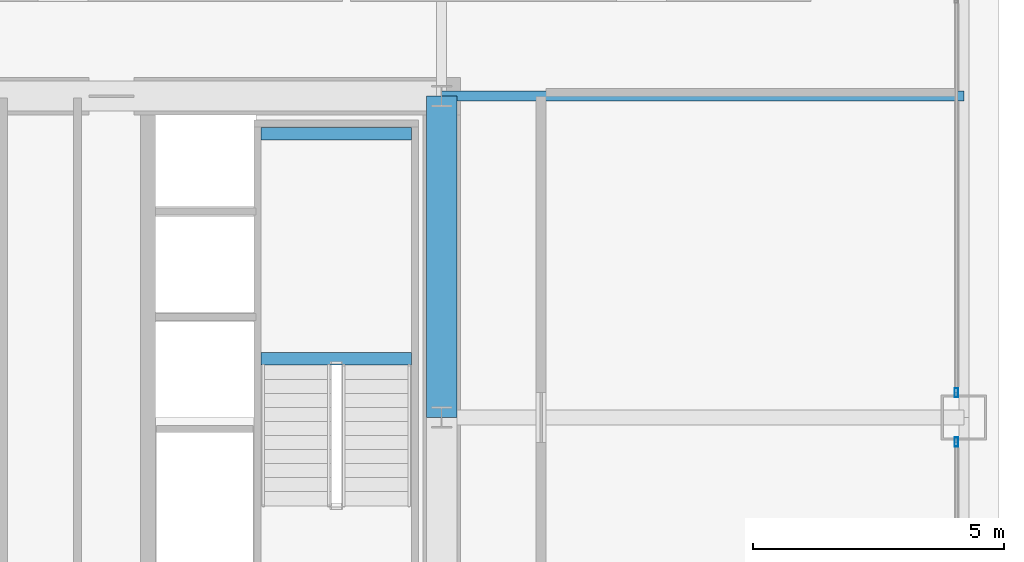
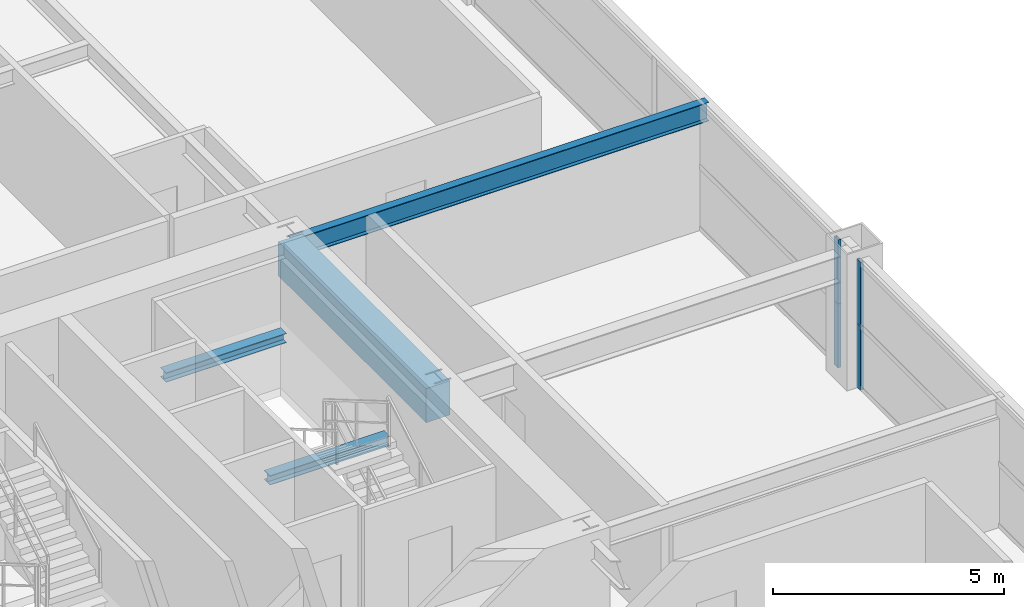
# One storey, part 19 of 37: 4 beams, 4 members, 2 elements without a shape of their own.
"""IFC4 building model written with IfcOpenShell, lengths in metres."""

from ifc_helpers import new_model, si_unit, direction, frame, origin, origin_2d, place, context, subcontext, project, spatial, rectangle, hollow_rectangle, i_section, extrude, source, transform, mapped, material, layer, layer_set, material_profile, profile_set, type_object, element, aggregate, save


model = new_model("IFC4")

# Units and contexts
model_context = context("Model", 3, precision=1e-05, world=origin(), true_north=direction((0.0, 1.0)))
body_context = subcontext(model_context, "Body", "Model", "MODEL_VIEW")
ifc_project = project(units=[si_unit("LENGTHUNIT", "METRE"), si_unit("AREAUNIT", "SQUARE_METRE"), si_unit("VOLUMEUNIT", "CUBIC_METRE"), si_unit("PLANEANGLEUNIT", "RADIAN"), si_unit("MASSUNIT", "GRAM", prefix="KILO"), si_unit("THERMODYNAMICTEMPERATUREUNIT", "KELVIN"), si_unit("POWERUNIT", "WATT")], contexts=[model_context])

# Site, building, storey
site_placement = place(None, origin())
site = spatial("IfcSite", under=ifc_project, at=site_placement, CompositionType="ELEMENT")
building_placement = place(site_placement, origin())
building = spatial("IfcBuilding", under=site, at=building_placement, Name="Yuzanri Waterfront Tower", CompositionType="ELEMENT")
storey_placement = place(building_placement, frame((0.0, 0.0, 104.60009765625)))
storey = spatial("IfcBuildingStorey", under=building, at=storey_placement, Name="L27", CompositionType="ELEMENT", Elevation=104.60009765625)

# Beams
ifc_material_1 = material(Name="Concrete C60", Category="concrete")
ifc_material_profile_1 = material_profile(ifc_material_1, rectangle(XDim=0.60009765625, YDim=0.89990234375, at=origin_2d()), Name="RC 600x900")
ifc_profile_set_1 = profile_set([ifc_material_profile_1], Name="Concrete C60")
beam_type_1 = type_object("IfcBeamType", Name="Core Coupling Lintel Concrete C60 600x900", PredefinedType="LINTEL", material=ifc_profile_set_1)
shared_shape_1 = source(origin(), body_context, "Body", "SweptSolid", [
    extrude(rectangle(XDim=0.60009765625, YDim=0.89990234375, at=origin_2d()), origin(), (0.0, 0.0, 1.0), 6.39990234375),
])
beam_1_placement = place(storey_placement, frame((50.199951171875, 25.800048828125, 2.929931640625), z_axis=(0.0, 1.0, 0.0), x_axis=(-1.0, 0.0, 0.0)))
element("IfcBeam", 1, at=beam_1_placement, inside=storey, type_object=beam_type_1, Name="L27 Core Tie Beam CE2", PredefinedType="LINTEL", context=body_context, shape_type="MappedRepresentation", body=[
    mapped(shared_shape_1, transform((0.0, 0.0, 0.0), scale=1.0)),
])
ifc_material_2 = material(Name="Steel Q355B", Category="steel")
ifc_material_profile_2 = material_profile(ifc_material_2, i_section(OverallWidth=0.199951171875, OverallDepth=0.5, WebThickness=0.010009765625, FlangeThickness=0.01611328125, at=origin_2d()), Name="HN 500x200x10x16")
ifc_profile_set_2 = profile_set([ifc_material_profile_2], Name="Steel Q355B")
beam_type_2 = type_object("IfcBeamType", Name="Secondary Floor Beam Q355B HN 500x200", PredefinedType="BEAM", material=ifc_profile_set_2)
shared_shape_2 = source(origin(), body_context, "Body", "SweptSolid", [
    extrude(i_section(OverallWidth=0.199951171875, OverallDepth=0.5, WebThickness=0.010009765625, FlangeThickness=0.01611328125, at=origin_2d()), origin(), (0.0, 0.0, 1.0), 10.400146484375),
])
beam_2_placement = place(storey_placement, frame((50.199951171875, 32.199951171875, 3.1298828125), z_axis=(1.0, 0.0, 0.0), x_axis=(0.0, 1.0, 0.0)))
element("IfcBeam", 2, at=beam_2_placement, inside=storey, type_object=beam_type_2, Name="L27 East-North Core Line Beam", PredefinedType="BEAM", context=body_context, shape_type="MappedRepresentation", body=[
    mapped(shared_shape_2, transform((0.0, 0.0, 0.0), scale=1.0)),
])

# Curtain wall, members
ifc_material_3 = material(Name="Anodized Architectural Bronze", Category="metal")
ifc_layer = layer(ifc_material_3, 0.159912109375)
ifc_layer_set = layer_set([ifc_layer], Name="Anodized Architectural Bronze")
curtain_wall_type = type_object("IfcCurtainWallType", Name="Anodized Bronze Hotel Upper-Tier Solar-Control Unitized Curtain Wall 7800", PredefinedType="NOTDEFINED", material=ifc_layer_set)
curtain_wall_1_placement = place(storey_placement, origin())
curtain_wall_1 = element("IfcCurtainWall", 3, at=curtain_wall_1_placement, inside=storey, type_object=curtain_wall_type, Name="L27 Curtain Wall CW-L27-EL", PredefinedType="NOTDEFINED")
ifc_material_4 = material(Name="Anodized Architectural Bronze", Category="metal")
ifc_material_profile_3 = material_profile(ifc_material_4, hollow_rectangle(XDim=0.070068359375, YDim=0.179931640625, WallThickness=0.00390625, at=origin_2d()), Name="CWM 70x180")
ifc_profile_set_3 = profile_set([ifc_material_profile_3], Name="Anodized Architectural Bronze")
member_type = type_object("IfcMemberType", Name="Anodized Bronze Standard Curtain-Wall Mullion 70x180", PredefinedType="MULLION", material=ifc_profile_set_3)
shared_shape_3 = source(origin(), body_context, "Body", "SweptSolid", [
    extrude(hollow_rectangle(XDim=0.070068359375, YDim=0.179931640625, WallThickness=0.00390625, at=origin_2d()), origin(), (0.0, 0.0, 1.0), 1.68798828125),
])
member_1_placement = place(storey_placement, frame((60.449951171875, 25.31005859375, 0.0), z_axis=(0.0, 0.0, 1.0), x_axis=(1.0, 0.0, 0.0)))
member_1 = element("IfcMember", 4, at=member_1_placement, type_object=member_type, Name="CW-L27-EL Lower Mullion 02", PredefinedType="MULLION", context=body_context, shape_type="MappedRepresentation", body=[
    mapped(shared_shape_3, transform((0.0, 0.0, 0.0), scale=1.0)),
])
member_2_placement = place(storey_placement, frame((60.449951171875, 25.31005859375, 1.69189453125), z_axis=(0.0, 0.0, 1.0), x_axis=(1.0, 0.0, 0.0)))
member_2 = element("IfcMember", 5, at=member_2_placement, type_object=member_type, Name="CW-L27-EL Upper Mullion 02", PredefinedType="MULLION", context=body_context, shape_type="MappedRepresentation", body=[
    mapped(shared_shape_3, transform((0.0, 0.0, 0.0), scale=1.0)),
])
aggregate(curtain_wall_1, [member_1, member_2])

curtain_wall_2_placement = place(storey_placement, origin())
curtain_wall_2 = element("IfcCurtainWall", 6, at=curtain_wall_2_placement, inside=storey, type_object=curtain_wall_type, Name="L27 Curtain Wall CW-L27-ER", PredefinedType="NOTDEFINED")
member_3_placement = place(storey_placement, frame((60.449951171875, 26.2900390625, 0.0), z_axis=(0.0, 0.0, 1.0), x_axis=(1.0, 0.0, 0.0)))
member_3 = element("IfcMember", 7, at=member_3_placement, type_object=member_type, Name="CW-L27-ER Lower Mullion 00", PredefinedType="MULLION", context=body_context, shape_type="MappedRepresentation", body=[
    mapped(shared_shape_3, transform((0.0, 0.0, 0.0), scale=1.0)),
])
member_4_placement = place(storey_placement, frame((60.449951171875, 26.2900390625, 1.69189453125), z_axis=(0.0, 0.0, 1.0), x_axis=(1.0, 0.0, 0.0)))
member_4 = element("IfcMember", 8, at=member_4_placement, type_object=member_type, Name="CW-L27-ER Upper Mullion 00", PredefinedType="MULLION", context=body_context, shape_type="MappedRepresentation", body=[
    mapped(shared_shape_3, transform((0.0, 0.0, 0.0), scale=1.0)),
])
aggregate(curtain_wall_2, [member_3, member_4])

# Beams
ifc_material_5 = material(Name="Steel Q355B", Category="steel")
ifc_material_profile_4 = material_profile(ifc_material_5, i_section(OverallWidth=0.25, OverallDepth=0.25, WebThickness=0.009033203125, FlangeThickness=0.013916015625, at=origin_2d()), Name="HW 250x250x9x14")
ifc_profile_set_4 = profile_set([ifc_material_profile_4], Name="Steel Q355B")
beam_type_3 = type_object("IfcBeamType", Name="Stair Landing Support Beam Q355B HW 250x250", PredefinedType="BEAM", material=ifc_profile_set_4)
shared_shape_4 = source(origin(), body_context, "Body", "SweptSolid", [
    extrude(i_section(OverallWidth=0.25, OverallDepth=0.25, WebThickness=0.009033203125, FlangeThickness=0.013916015625, at=origin_2d()), origin(), (0.0, 0.0, 1.0), 3.0),
])
for number, where, z_axis, x_axis, name in (
    (9, (46.60009765625, 26.969970703125, 1.474853515625), (1.0, 0.0, 0.0), (0.0, 1.0, 0.0), "L27 Stair Landing Support Beam ST-02-L27-L1-1"),
    (10, (46.60009765625, 31.449951171875, 1.474853515625), (1.0, 0.0, 0.0), (0.0, 1.0, 0.0), "L27 Stair Landing Support Beam ST-02-L27-L1-2"),
):
    element("IfcBeam", number, at=place(storey_placement, frame(where, z_axis=z_axis, x_axis=x_axis)), inside=storey, type_object=beam_type_3, Name=name, PredefinedType="BEAM", context=body_context, shape_type="MappedRepresentation", body=[
        mapped(shared_shape_4, transform((0.0, 0.0, 0.0), scale=1.0)),
    ])

save(model, "model.ifc")
